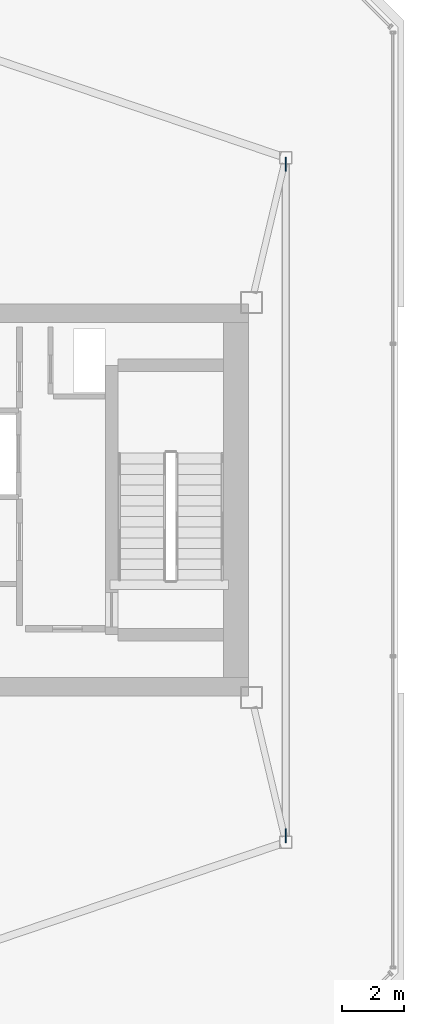
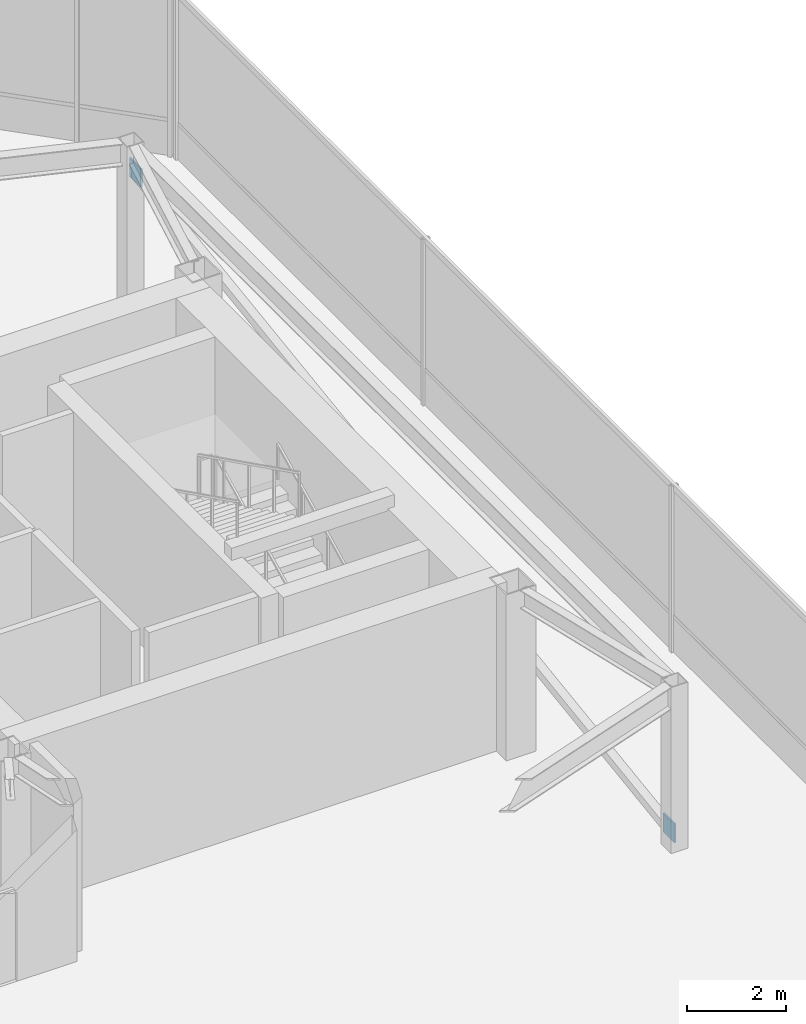
# One storey, part 21 of 22: 2 discrete accessories.
"""IFC4 building model written with IfcOpenShell, lengths in metres."""

from ifc_helpers import new_model, si_unit, direction, frame, origin, origin_2d, place, context, subcontext, project, spatial, rectangle, extrude, material, type_object, element, save


model = new_model("IFC4")

# Units and contexts
model_context = context("Model", 3, precision=1e-05, world=origin(), true_north=direction((0.0, 1.0)))
body_context = subcontext(model_context, "Body", "Model", "MODEL_VIEW")
ifc_project = project(units=[si_unit("LENGTHUNIT", "METRE"), si_unit("AREAUNIT", "SQUARE_METRE"), si_unit("VOLUMEUNIT", "CUBIC_METRE"), si_unit("PLANEANGLEUNIT", "RADIAN"), si_unit("MASSUNIT", "GRAM", prefix="KILO")], contexts=[model_context])

# Site, building, storey
site_placement = place(None, origin())
site = spatial("IfcSite", under=ifc_project, at=site_placement, CompositionType="ELEMENT")
building_placement = place(site_placement, origin())
building = spatial("IfcBuilding", under=site, at=building_placement, Name="Tavrogorsk Clinical Tower", CompositionType="ELEMENT")
storey_placement = place(building_placement, frame((0.0, 0.0, 339.800048828125)))
storey = spatial("IfcBuildingStorey", under=building, at=storey_placement, Name="L79", CompositionType="ELEMENT", Elevation=339.800048828125)

# Discrete accessories
ifc_material = material(Name="Structural steel S440", Category="steel")
discrete_accessory_type = type_object("IfcDiscreteAccessoryType", Name="GussetPlateBracket_25", PredefinedType="BRACKET", material=ifc_material)
for number, where, z_axis, x_axis, name in (
    (1, (23.199951171875, -10.792236328125, 0.099609375), (0.0, 0.0, 1.0), (0.0, 1.0, 0.0), "L79 Brace Gusset Plate CRNBR-L79-2-A"),
    (2, (23.199951171875, 10.792236328125, 3.190185546875), (0.0, 0.0, 1.0), (0.0, 1.0, 0.0), "L79 Brace Gusset Plate CRNBR-L79-2-B"),
):
    element("IfcDiscreteAccessory", number, at=place(storey_placement, frame(where, z_axis=z_axis, x_axis=x_axis)), inside=storey, type_object=discrete_accessory_type, Name=name, PredefinedType="BRACKET", context=body_context, shape_type="SweptSolid", body=[
        extrude(rectangle(XDim=0.4599609375, YDim=0.0400390625, at=origin_2d()), origin(), (0.0, 0.0, 1.0), 0.4599609375),
    ])

save(model, "model.ifc")
